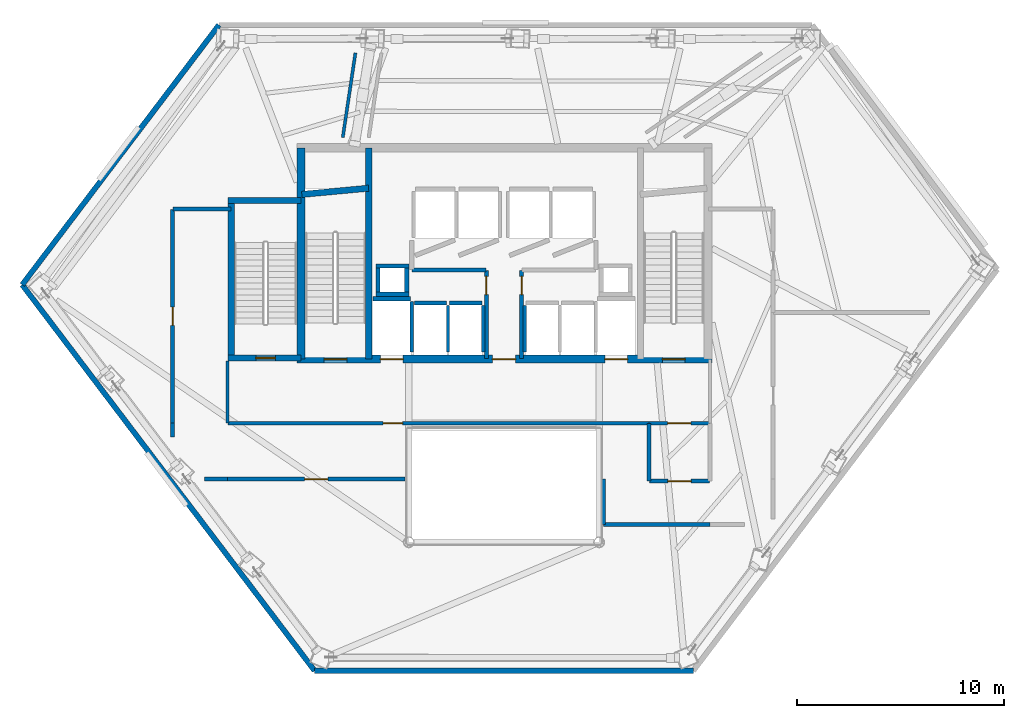
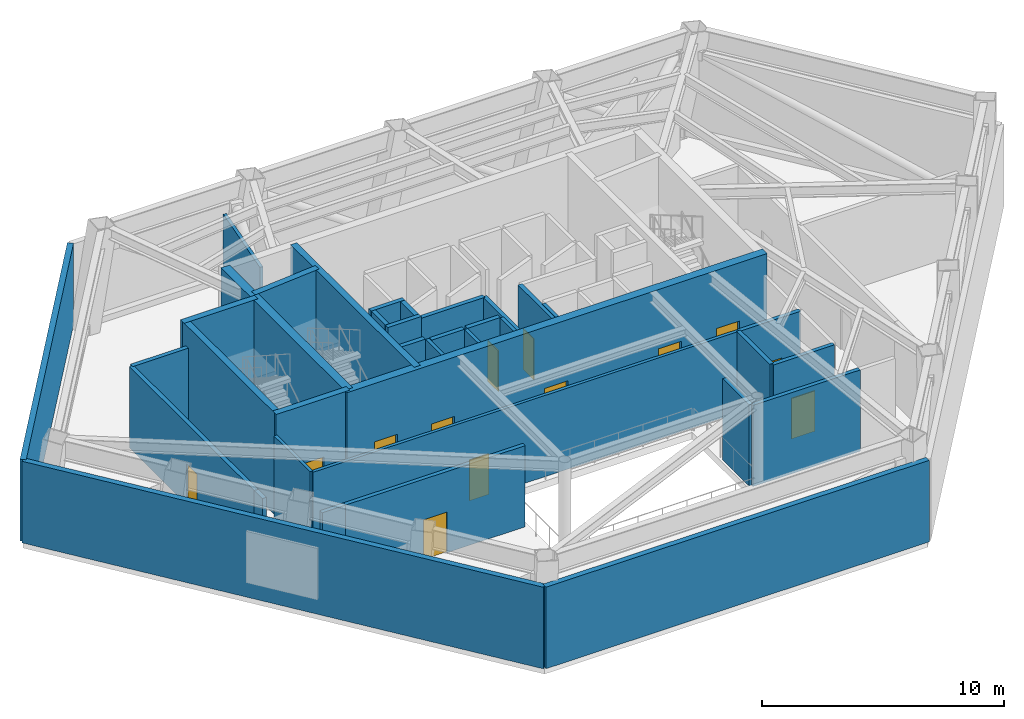
# One storey, part 5 of 9: 37 walls, 13 doors, 13 openings.
"""IFC4 building model written with IfcOpenShell, lengths in metres."""

from ifc_helpers import new_model, si_unit, direction, frame, frame_2d, origin, place, context, subcontext, project, spatial, rectangle, extrude, material, layer, layer_set, type_object, element, fill, save


model = new_model("IFC4")

# Units and contexts
model_context = context("Model", 3, precision=1e-05, world=origin(), true_north=direction((0.0, 1.0)))
body_context = subcontext(model_context, "Body", "Model", "MODEL_VIEW")
ifc_project = project(units=[si_unit("LENGTHUNIT", "METRE"), si_unit("AREAUNIT", "SQUARE_METRE"), si_unit("VOLUMEUNIT", "CUBIC_METRE"), si_unit("PLANEANGLEUNIT", "RADIAN"), si_unit("MASSUNIT", "GRAM", prefix="KILO")], contexts=[model_context])

# Site, building, storey
site_placement = place(None, origin())
site = spatial("IfcSite", under=ifc_project, at=site_placement, CompositionType="ELEMENT")
building_placement = place(site_placement, origin())
building = spatial("IfcBuilding", under=site, at=building_placement, Name="Zarrinselat Tower", CompositionType="ELEMENT")
storey_placement = place(building_placement, frame((0.0, 0.0, 109.139892578125)))
storey = spatial("IfcBuildingStorey", under=building, at=storey_placement, Name="L26", CompositionType="ELEMENT", Elevation=109.139892578125)

# Walls
ifc_material_1 = material(Name="Honed Cream Travertine Stone", Category="masonry")
ifc_layer_1 = layer(ifc_material_1, 0.260009765625)
ifc_layer_set_1 = layer_set([ifc_layer_1], Name="Honed Cream Travertine Stone")
wall_type_1 = type_object("IfcWallType", Name="WAL-EXT-STONE-260", PredefinedType="STANDARD", material=ifc_layer_set_1)
wall_1_placement = place(storey_placement, frame((15.13134765625, 36.837890625, 0.0), z_axis=(0.0, 0.0, 1.0), x_axis=(0.60385977856, 0.797090564389, 0.0)))
element("IfcWall", 1, at=wall_1_placement, inside=storey, type_object=wall_type_1, Name="L26 Mechanical Plant Travertine Perimeter Wall 2", PredefinedType="STANDARD", context=body_context, shape_type="SweptSolid", body=[
    extrude(rectangle(XDim=15.739013671875, YDim=0.260009765625, at=frame_2d((7.86962890625, 0.0))), origin(), (0.0, 0.0, 1.0), 4.1171875),
])
wall_2_placement = place(storey_placement, frame((15.13134765625, 36.837890625, 0.0), z_axis=(0.0, 0.0, 1.0), x_axis=(0.603857286094, -0.797092452624, 0.0)))
element("IfcWall", 2, at=wall_2_placement, inside=storey, type_object=wall_type_1, Name="L26 Mechanical Plant Travertine Perimeter Wall 3", PredefinedType="STANDARD", context=body_context, shape_type="SweptSolid", body=[
    extrude(rectangle(XDim=23.391357421875, YDim=0.260009765625, at=frame_2d((11.69580078125, 0.0))), origin(), (0.0, 0.0, 1.0), 4.1171875),
])
wall_3_placement = place(storey_placement, frame((29.25634765625, 18.19287109375, 0.0), z_axis=(0.0, 0.0, 1.0), x_axis=(1.0, 0.0, 0.0)))
element("IfcWall", 3, at=wall_3_placement, inside=storey, type_object=wall_type_1, Name="L26 Mechanical Plant Travertine Perimeter Wall 4", PredefinedType="STANDARD", context=body_context, shape_type="SweptSolid", body=[
    extrude(rectangle(XDim=18.287353515625, YDim=0.260009765625, at=frame_2d((9.1435546875, 0.0))), origin(), (0.0, 0.0, 1.0), 4.1171875),
])

# Wall, opening, door
ifc_material_2 = material(Name="Concrete C40/50", Category="concrete")
ifc_layer_2 = layer(ifc_material_2, 0.18994140625)
ifc_layer_set_2 = layer_set([ifc_layer_2], Name="Concrete C40/50")
wall_type_2 = type_object("IfcWallType", Name="WAL-PART-EI120", PredefinedType="PARTITIONING", material=ifc_layer_set_2)
wall_4_placement = place(storey_placement, frame((45.405029296875, 30.14990234375, 0.0), z_axis=(0.0, 0.0, 1.0), x_axis=(1.0, 0.0, 0.0)))
wall_4 = element("IfcWall", 4, at=wall_4_placement, inside=storey, type_object=wall_type_2, Name="L26 Partition Wall 7", PredefinedType="PARTITIONING", context=body_context, shape_type="SweptSolid", body=[
    extrude(rectangle(XDim=2.925048828125, YDim=0.18994140625, at=frame_2d((1.46240234375, 0.0))), origin(), (0.0, 0.0, 1.0), 4.09716796875),
])
opening_1_placement = place(wall_4_placement, frame((0.902587890625, 0.0, 0.0)))
opening_1 = element("IfcOpeningElement", 5, at=opening_1_placement, cuts=wall_4, Name="Opening ID-02", PredefinedType="OPENING", context=body_context, shape_type="SweptSolid", body=[
    extrude(rectangle(XDim=1.1201171875, YDim=2.050048828125, at=frame_2d((0.56005859375, 1.02490234375))), frame((0.0, 0.10498046875, 0.0), z_axis=(0.0, -1.0, 0.0), x_axis=(1.0, 0.0, 0.0)), (0.0, 0.0, 1.0), 0.2099609375),
])
ifc_material_3 = material(Name="Steel S355J2", Category="steel")
door_type_1 = type_object("IfcDoorType", Name="DR-INT-FD60-W", OperationType="NOTDEFINED", PredefinedType="DOOR", material=ifc_material_3)
door_1_placement = place(opening_1_placement, origin())
door_1 = element("IfcDoor", 6, at=door_1_placement, inside=storey, type_object=door_type_1, Name="L26 Interior Door P7", OperationType="SINGLE_SWING_LEFT", OverallHeight=2.050048828125, OverallWidth=1.1201171875, PredefinedType="DOOR", context=body_context, shape_type="SweptSolid", body=[
    extrude(rectangle(XDim=1.1201171875, YDim=2.050048828125, at=frame_2d((0.56005859375, 1.02490234375))), frame((0.0, 0.02490234375, 0.0), z_axis=(0.0, -1.0, 0.0), x_axis=(1.0, 0.0, 0.0)), (0.0, 0.0, 1.0), 0.050048828125),
])
fill(opening_1, door_1)

wall_5_placement = place(storey_placement, frame((45.419921875, 27.35009765625, 0.0), z_axis=(0.0, 0.0, 1.0), x_axis=(1.0, 0.0, 0.0)))
wall_5 = element("IfcWall", 7, at=wall_5_placement, inside=storey, type_object=wall_type_2, Name="L26 Partition Wall 11", PredefinedType="PARTITIONING", context=body_context, shape_type="SweptSolid", body=[
    extrude(rectangle(XDim=2.91015625, YDim=0.18994140625, at=frame_2d((1.455078125, 0.0))), origin(), (0.0, 0.0, 1.0), 4.09716796875),
])
opening_2_placement = place(wall_5_placement, frame((0.89501953125, 0.0, 0.0)))
opening_2 = element("IfcOpeningElement", 8, at=opening_2_placement, cuts=wall_5, Name="Opening ID-02", PredefinedType="OPENING", context=body_context, shape_type="SweptSolid", body=[
    extrude(rectangle(XDim=1.1201171875, YDim=2.050048828125, at=frame_2d((0.56005859375, 1.02490234375))), frame((0.0, 0.10498046875, 0.0), z_axis=(0.0, -1.0, 0.0), x_axis=(1.0, 0.0, 0.0)), (0.0, 0.0, 1.0), 0.2099609375),
])
door_2_placement = place(opening_2_placement, origin())
door_2 = element("IfcDoor", 9, at=door_2_placement, inside=storey, type_object=door_type_1, Name="L26 Interior Door P11", OperationType="SINGLE_SWING_LEFT", OverallHeight=2.050048828125, OverallWidth=1.1201171875, PredefinedType="DOOR", context=body_context, shape_type="SweptSolid", body=[
    extrude(rectangle(XDim=1.1201171875, YDim=2.050048828125, at=frame_2d((0.56005859375, 1.02490234375))), frame((0.0, 0.02490234375, 0.0), z_axis=(0.0, -1.0, 0.0), x_axis=(1.0, 0.0, 0.0)), (0.0, 0.0, 1.0), 0.050048828125),
])
fill(opening_2, door_2)

# Walls
wall_6_placement = place(storey_placement, frame((45.39990234375, 27.3701171875, 0.0), z_axis=(0.0, 0.0, 1.0), x_axis=(0.0, 1.0, 0.0)))
element("IfcWall", 10, at=wall_6_placement, inside=storey, type_object=wall_type_2, Name="L26 Partition Wall 12", PredefinedType="PARTITIONING", context=body_context, shape_type="SweptSolid", body=[
    extrude(rectangle(XDim=2.759765625, YDim=0.18994140625, at=frame_2d((1.3798828125, 0.0))), origin(), (0.0, 0.0, 1.0), 4.09716796875),
])
wall_7_placement = place(storey_placement, frame((43.219970703125, 25.25, 0.0), z_axis=(0.0, 0.0, 1.0), x_axis=(1.0, 0.0, 0.0)))
element("IfcWall", 11, at=wall_7_placement, inside=storey, type_object=wall_type_2, Name="L26 Partition Wall 15", PredefinedType="PARTITIONING", context=body_context, shape_type="SweptSolid", body=[
    extrude(rectangle(XDim=5.130126953125, YDim=0.18994140625, at=frame_2d((2.56494140625, 0.0))), origin(), (0.0, 0.0, 1.0), 4.09716796875),
])
wall_8_placement = place(storey_placement, frame((43.199951171875, 25.27001953125, 0.0), z_axis=(0.0, 0.0, 1.0), x_axis=(0.0, 1.0, 0.0)))
element("IfcWall", 12, at=wall_8_placement, inside=storey, type_object=wall_type_2, Name="L26 Partition Wall 16", PredefinedType="PARTITIONING", context=body_context, shape_type="SweptSolid", body=[
    extrude(rectangle(XDim=2.179931640625, YDim=0.18994140625, at=frame_2d((1.08984375, 0.0))), origin(), (0.0, 0.0, 1.0), 4.09716796875),
])

# Wall, opening, door
wall_9_placement = place(storey_placement, frame((25.050048828125, 27.449951171875, 0.0), z_axis=(0.0, 0.0, 1.0), x_axis=(1.0, 0.0, 0.0)))
wall_9 = element("IfcWall", 13, at=wall_9_placement, inside=storey, type_object=wall_type_2, Name="L26 Partition Wall 17", PredefinedType="PARTITIONING", context=body_context, shape_type="SweptSolid", body=[
    extrude(rectangle(XDim=8.570068359375, YDim=0.18994140625, at=frame_2d((4.28515625, 0.0))), origin(), (0.0, 0.0, 1.0), 4.09716796875),
])
opening_3_placement = place(wall_9_placement, frame((3.72509765625, 0.0, 0.0)))
opening_3 = element("IfcOpeningElement", 14, at=opening_3_placement, cuts=wall_9, Name="Opening ID-02", PredefinedType="OPENING", context=body_context, shape_type="SweptSolid", body=[
    extrude(rectangle(XDim=1.1201171875, YDim=2.050048828125, at=frame_2d((0.56005859375, 1.02490234375))), frame((0.0, 0.10498046875, 0.0), z_axis=(0.0, -1.0, 0.0), x_axis=(1.0, 0.0, 0.0)), (0.0, 0.0, 1.0), 0.2099609375),
])
door_3_placement = place(opening_3_placement, origin())
door_3 = element("IfcDoor", 15, at=door_3_placement, inside=storey, type_object=door_type_1, Name="L26 Interior Door P17", OperationType="SINGLE_SWING_RIGHT", OverallHeight=2.050048828125, OverallWidth=1.1201171875, PredefinedType="DOOR", context=body_context, shape_type="SweptSolid", body=[
    extrude(rectangle(XDim=1.1201171875, YDim=2.050048828125, at=frame_2d((0.56005859375, 1.02490234375))), frame((0.0, 0.02490234375, 0.0), z_axis=(0.0, -1.0, 0.0), x_axis=(1.0, 0.0, 0.0)), (0.0, 0.0, 1.0), 0.050048828125),
])
fill(opening_3, door_3)

# Wall
wall_10_placement = place(storey_placement, frame((23.93701171875, 27.449951171875, 0.0), z_axis=(0.0, 0.0, 1.0), x_axis=(1.0, 0.0, 0.0)))
element("IfcWall", 16, at=wall_10_placement, inside=storey, type_object=wall_type_2, Name="L26 Partition Wall 18", PredefinedType="PARTITIONING", context=body_context, shape_type="SweptSolid", body=[
    extrude(rectangle(XDim=1.113037109375, YDim=0.18994140625, at=frame_2d((0.556640625, 0.0))), origin(), (0.0, 0.0, 1.0), 4.09716796875),
])

# Wall, opening, door
ifc_material_4 = material(Name="Fire-Rated Gypsum Board Partition", Category="gypsum")
ifc_layer_3 = layer(ifc_material_4, 0.14990234375)
ifc_layer_set_3 = layer_set([ifc_layer_3], Name="Fire-Rated Gypsum Board Partition")
wall_type_3 = type_object("IfcWallType", Name="WAL-PART-EI60", PredefinedType="PARTITIONING", material=ifc_layer_set_3)
wall_11_placement = place(storey_placement, frame((25.070068359375, 30.14990234375, 0.0), z_axis=(0.0, 0.0, 1.0), x_axis=(1.0, 0.0, 0.0)))
wall_11 = element("IfcWall", 17, at=wall_11_placement, inside=storey, type_object=wall_type_3, Name="L26 Partition Wall 9", PredefinedType="PARTITIONING", context=body_context, shape_type="SweptSolid", body=[
    extrude(rectangle(XDim=20.324951171875, YDim=0.14990234375, at=frame_2d((10.16259765625, 0.0))), origin(), (0.0, 0.0, 1.0), 4.09716796875),
])
opening_4_placement = place(wall_11_placement, frame((7.492431640625, 0.0, 0.0)))
opening_4 = element("IfcOpeningElement", 18, at=opening_4_placement, cuts=wall_11, Name="Opening ID-04", PredefinedType="OPENING", context=body_context, shape_type="SweptSolid", body=[
    extrude(rectangle(XDim=0.93994140625, YDim=2.050048828125, at=frame_2d((0.469970703125, 1.02490234375))), frame((0.0, 0.0849609375, 0.0), z_axis=(0.0, -1.0, 0.0), x_axis=(1.0, 0.0, 0.0)), (0.0, 0.0, 1.0), 0.169921875),
])
ifc_material_5 = material(Name="Fire-Rated Gypsum Board Partition")
door_type_2 = type_object("IfcDoorType", Name="DR-INT-FD30-ENT", OperationType="NOTDEFINED", PredefinedType="DOOR", material=ifc_material_5)
door_4_placement = place(opening_4_placement, origin())
door_4 = element("IfcDoor", 19, at=door_4_placement, inside=storey, type_object=door_type_2, Name="L26 Interior Door P9", OperationType="SINGLE_SWING_RIGHT", OverallHeight=2.050048828125, OverallWidth=0.93994140625, PredefinedType="DOOR", context=body_context, shape_type="SweptSolid", body=[
    extrude(rectangle(XDim=0.93994140625, YDim=2.050048828125, at=frame_2d((0.469970703125, 1.02490234375))), frame((0.0, 0.02490234375, 0.0), z_axis=(0.0, -1.0, 0.0), x_axis=(1.0, 0.0, 0.0)), (0.0, 0.0, 1.0), 0.050048828125),
])
fill(opening_4, door_4)

# Wall
wall_12_placement = place(storey_placement, frame((25.050048828125, 30.169921875, 0.0), z_axis=(0.0, 0.0, 1.0), x_axis=(0.0, 1.0, 0.0)))
element("IfcWall", 20, at=wall_12_placement, inside=storey, type_object=wall_type_3, Name="L26 Partition Wall 10", PredefinedType="PARTITIONING", context=body_context, shape_type="SweptSolid", body=[
    extrude(rectangle(XDim=2.97998046875, YDim=0.14990234375, at=frame_2d((1.489990234375, 0.0))), origin(), (0.0, 0.0, 1.0), 4.09716796875),
])

# Wall, opening, door
ifc_material_6 = material(Name="Concrete C40/50", Category="concrete")
ifc_layer_4 = layer(ifc_material_6, 0.199951171875)
ifc_layer_set_4 = layer_set([ifc_layer_4], Name="Concrete C40/50")
wall_type_4 = type_object("IfcWallType", Name="WAL-PART-PLANT", PredefinedType="PARTITIONING", material=ifc_layer_set_4)
wall_13_placement = place(storey_placement, frame((37.550048828125, 33.264892578125, 0.0), z_axis=(0.0, 0.0, 1.0), x_axis=(0.0, 1.0, 0.0)))
wall_13 = element("IfcWall", 21, at=wall_13_placement, inside=storey, type_object=wall_type_4, Name="L26 Partition Wall 1", PredefinedType="PARTITIONING", context=body_context, shape_type="SweptSolid", body=[
    extrude(rectangle(XDim=4.26513671875, YDim=0.199951171875, at=frame_2d((2.132568359375, 0.0))), origin(), (0.0, 0.0, 1.0), 4.09716796875),
])
opening_5_placement = place(wall_13_placement, frame((3.092529296875, 0.0, 0.0)))
opening_5 = element("IfcOpeningElement", 22, at=opening_5_placement, cuts=wall_13, Name="Opening ID-03", PredefinedType="OPENING", context=body_context, shape_type="SweptSolid", body=[
    extrude(rectangle(XDim=0.8798828125, YDim=2.050048828125, at=frame_2d((0.43994140625, 1.02490234375))), frame((0.0, 0.10986328125, 0.0), z_axis=(0.0, -1.0, 0.0), x_axis=(1.0, 0.0, 0.0)), (0.0, 0.0, 1.0), 0.219970703125),
])
ifc_material_7 = material(Name="Steel S355J2", Category="steel")
door_type_3 = type_object("IfcDoorType", Name="DR-INT-FD60-S", OperationType="NOTDEFINED", PredefinedType="DOOR", material=ifc_material_7)
door_5_placement = place(opening_5_placement, origin())
door_5 = element("IfcDoor", 23, at=door_5_placement, inside=storey, type_object=door_type_3, Name="L26 Interior Door P1", OperationType="SINGLE_SWING_LEFT", OverallHeight=2.050048828125, OverallWidth=0.8798828125, PredefinedType="DOOR", context=body_context, shape_type="SweptSolid", body=[
    extrude(rectangle(XDim=0.8798828125, YDim=2.050048828125, at=frame_2d((0.43994140625, 1.02490234375))), frame((0.0, 0.02490234375, 0.0), z_axis=(0.0, -1.0, 0.0), x_axis=(1.0, 0.0, 0.0)), (0.0, 0.0, 1.0), 0.050048828125),
])
fill(opening_5, door_5)

# Wall
wall_14_placement = place(storey_placement, frame((33.969970703125, 37.550048828125, 0.0), z_axis=(0.0, 0.0, 1.0), x_axis=(1.0, 0.0, 0.0)))
element("IfcWall", 24, at=wall_14_placement, inside=storey, type_object=wall_type_4, Name="L26 Partition Wall 2", PredefinedType="PARTITIONING", context=body_context, shape_type="SweptSolid", body=[
    extrude(rectangle(XDim=3.56005859375, YDim=0.199951171875, at=frame_2d((1.780029296875, 0.0))), origin(), (0.0, 0.0, 1.0), 4.09716796875),
])

# Wall, opening, door
wall_15_placement = place(storey_placement, frame((39.25, 33.264892578125, 0.0), z_axis=(0.0, 0.0, 1.0), x_axis=(0.0, 1.0, 0.0)))
wall_15 = element("IfcWall", 25, at=wall_15_placement, inside=storey, type_object=wall_type_4, Name="L26 Partition Wall 6", PredefinedType="PARTITIONING", context=body_context, shape_type="SweptSolid", body=[
    extrude(rectangle(XDim=4.26513671875, YDim=0.199951171875, at=frame_2d((2.132568359375, 0.0))), origin(), (0.0, 0.0, 1.0), 4.09716796875),
])
opening_6_placement = place(wall_15_placement, frame((3.092529296875, 0.0, 0.0)))
opening_6 = element("IfcOpeningElement", 26, at=opening_6_placement, cuts=wall_15, Name="Opening ID-03", PredefinedType="OPENING", context=body_context, shape_type="SweptSolid", body=[
    extrude(rectangle(XDim=0.8798828125, YDim=2.050048828125, at=frame_2d((0.43994140625, 1.02490234375))), frame((0.0, 0.10986328125, 0.0), z_axis=(0.0, -1.0, 0.0), x_axis=(1.0, 0.0, 0.0)), (0.0, 0.0, 1.0), 0.219970703125),
])
door_6_placement = place(opening_6_placement, origin())
door_6 = element("IfcDoor", 27, at=door_6_placement, inside=storey, type_object=door_type_3, Name="L26 Interior Door P6", OperationType="SINGLE_SWING_RIGHT", OverallHeight=2.050048828125, OverallWidth=0.8798828125, PredefinedType="DOOR", context=body_context, shape_type="SweptSolid", body=[
    extrude(rectangle(XDim=0.8798828125, YDim=2.050048828125, at=frame_2d((0.43994140625, 1.02490234375))), frame((0.0, 0.02490234375, 0.0), z_axis=(0.0, -1.0, 0.0), x_axis=(1.0, 0.0, 0.0)), (0.0, 0.0, 1.0), 0.050048828125),
])
fill(opening_6, door_6)

wall_16_placement = place(storey_placement, frame((22.39990234375, 30.14990234375, 0.0), z_axis=(0.0, 0.0, 1.0), x_axis=(0.0, 1.0, 0.0)))
wall_16 = element("IfcWall", 28, at=wall_16_placement, inside=storey, type_object=wall_type_4, Name="L26 Partition Wall 19", PredefinedType="PARTITIONING", context=body_context, shape_type="SweptSolid", body=[
    extrude(rectangle(XDim=10.330078125, YDim=0.199951171875, at=frame_2d((5.1650390625, 0.0))), origin(), (0.0, 0.0, 1.0), 4.09716796875),
])
opening_7_placement = place(wall_16_placement, frame((4.72509765625, 0.0, 0.0)))
opening_7 = element("IfcOpeningElement", 29, at=opening_7_placement, cuts=wall_16, Name="Opening ID-03", PredefinedType="OPENING", context=body_context, shape_type="SweptSolid", body=[
    extrude(rectangle(XDim=0.8798828125, YDim=2.050048828125, at=frame_2d((0.43994140625, 1.02490234375))), frame((0.0, 0.10986328125, 0.0), z_axis=(0.0, -1.0, 0.0), x_axis=(1.0, 0.0, 0.0)), (0.0, 0.0, 1.0), 0.219970703125),
])
door_7_placement = place(opening_7_placement, origin())
door_7 = element("IfcDoor", 30, at=door_7_placement, inside=storey, type_object=door_type_3, Name="L26 Interior Door P19", OperationType="SINGLE_SWING_LEFT", OverallHeight=2.050048828125, OverallWidth=0.8798828125, PredefinedType="DOOR", context=body_context, shape_type="SweptSolid", body=[
    extrude(rectangle(XDim=0.8798828125, YDim=2.050048828125, at=frame_2d((0.43994140625, 1.02490234375))), frame((0.0, 0.02490234375, 0.0), z_axis=(0.0, -1.0, 0.0), x_axis=(1.0, 0.0, 0.0)), (0.0, 0.0, 1.0), 0.050048828125),
])
fill(opening_7, door_7)

# Walls
wall_17_placement = place(storey_placement, frame((22.419921875, 40.5, 0.0), z_axis=(0.0, 0.0, 1.0), x_axis=(1.0, 0.0, 0.0)))
element("IfcWall", 31, at=wall_17_placement, inside=storey, type_object=wall_type_4, Name="L26 Partition Wall 20", PredefinedType="PARTITIONING", context=body_context, shape_type="SweptSolid", body=[
    extrude(rectangle(XDim=2.795166015625, YDim=0.199951171875, at=frame_2d((1.3974609375, 0.0))), origin(), (0.0, 0.0, 1.0), 4.09716796875),
])
wall_18_placement = place(storey_placement, frame((22.39990234375, 29.47900390625, 0.0), z_axis=(0.0, 0.0, 1.0), x_axis=(0.0, 1.0, 0.0)))
element("IfcWall", 32, at=wall_18_placement, inside=storey, type_object=wall_type_4, Name="L26 Partition Wall 21", PredefinedType="PARTITIONING", context=body_context, shape_type="SweptSolid", body=[
    extrude(rectangle(XDim=0.6708984375, YDim=0.199951171875, at=frame_2d((0.33544921875, 0.0))), origin(), (0.0, 0.0, 1.0), 4.09716796875),
])
ifc_material_8 = material(Name="Fire-Rated Gypsum Board Partition", Category="gypsum")
ifc_layer_5 = layer(ifc_material_8, 0.1201171875)
ifc_layer_set_5 = layer_set([ifc_layer_5], Name="Fire-Rated Gypsum Board Partition")
wall_type_5 = type_object("IfcWallType", Name="WAL-PART-STD", PredefinedType="PARTITIONING", material=ifc_layer_set_5)
wall_19_placement = place(storey_placement, frame((30.6162109375, 43.949951171875, 0.0), z_axis=(0.0, 0.0, 1.0), x_axis=(0.148123586873, 0.988968858464, 0.0)))
element("IfcWall", 33, at=wall_19_placement, inside=storey, type_object=wall_type_5, Name="L26 Outrigger Truss Zone 16 Fire Partition 2", PredefinedType="PARTITIONING", context=body_context, shape_type="SweptSolid", body=[
    extrude(rectangle(XDim=4.12890625, YDim=0.14990234375, at=frame_2d((2.064453125, 0.0))), origin(), (0.0, 0.0, 1.0), 4.09716796875),
])
ifc_material_9 = material(Name="Concrete C40/50", Category="concrete")
ifc_layer_6 = layer(ifc_material_9, 0.2099609375)
ifc_layer_set_6 = layer_set([ifc_layer_6], Name="Concrete C40/50")
wall_type_6 = type_object("IfcWallType", Name="WAL-SHAFT-210", PredefinedType="SOLIDWALL", material=ifc_layer_set_6)
wall_20_placement = place(storey_placement, frame((32.080078125, 36.155029296875, 0.0), z_axis=(0.0, 0.0, 1.0), x_axis=(1.0, 0.0, 0.0)))
element("IfcWall", 34, at=wall_20_placement, inside=storey, type_object=wall_type_6, Name="L26 Lift FFL1 North Shaft Wall", PredefinedType="SOLIDWALL", context=body_context, shape_type="SweptSolid", body=[
    extrude(rectangle(XDim=1.7998046875, YDim=0.2099609375, at=frame_2d((0.89990234375, 0.0))), origin(), (0.0, 0.0, 1.0), 4.112060546875),
])
wall_21_placement = place(storey_placement, frame((33.949951171875, 33.580078125, 0.0), z_axis=(0.0, 0.0, 1.0), x_axis=(0.0, 1.0, 0.0)))
element("IfcWall", 35, at=wall_21_placement, inside=storey, type_object=wall_type_6, Name="L26 Lift FFL1 E Shaft Wall", PredefinedType="SOLIDWALL", context=body_context, shape_type="SweptSolid", body=[
    extrude(rectangle(XDim=2.449951171875, YDim=0.159912109375, at=frame_2d((1.22509765625, 0.0))), origin(), (0.0, 0.0, 1.0), 4.112060546875),
])
wall_22_placement = place(storey_placement, frame((34.070068359375, 35.955078125, 0.0), z_axis=(0.0, 0.0, 1.0), x_axis=(1.0, 0.0, 0.0)))
element("IfcWall", 36, at=wall_22_placement, inside=storey, type_object=wall_type_6, Name="L26 Lift PL5 North Shaft Wall", PredefinedType="SOLIDWALL", context=body_context, shape_type="SweptSolid", body=[
    extrude(rectangle(XDim=1.559814453125, YDim=0.2099609375, at=frame_2d((0.77978515625, 0.0))), origin(), (0.0, 0.0, 1.0), 4.112060546875),
])
wall_23_placement = place(storey_placement, frame((35.699951171875, 33.580078125, 0.0), z_axis=(0.0, 0.0, 1.0), x_axis=(0.0, 1.0, 0.0)))
element("IfcWall", 37, at=wall_23_placement, inside=storey, type_object=wall_type_6, Name="L26 Lift PL5 E Shaft Wall", PredefinedType="SOLIDWALL", context=body_context, shape_type="SweptSolid", body=[
    extrude(rectangle(XDim=2.25, YDim=0.159912109375, at=frame_2d((1.125, 0.0))), origin(), (0.0, 0.0, 1.0), 4.112060546875),
])
wall_24_placement = place(storey_placement, frame((35.77001953125, 35.955078125, 0.0), z_axis=(0.0, 0.0, 1.0), x_axis=(1.0, 0.0, 0.0)))
element("IfcWall", 38, at=wall_24_placement, inside=storey, type_object=wall_type_6, Name="L26 Lift PL6 North Shaft Wall", PredefinedType="SOLIDWALL", context=body_context, shape_type="SweptSolid", body=[
    extrude(rectangle(XDim=1.56005859375, YDim=0.2099609375, at=frame_2d((0.780029296875, 0.0))), origin(), (0.0, 0.0, 1.0), 4.112060546875),
])
for number, where, z_axis, x_axis, name in (
    (39, (37.39990234375, 33.580078125, 0.0), (0.0, 0.0, 1.0), (0.0, 1.0, 0.0), "L26 Lift PL6 E Shaft Wall"),
    (40, (39.39990234375, 33.580078125, 0.0), (0.0, 0.0, 1.0), (0.0, 1.0, 0.0), "L26 Lift PL8 W Shaft Wall"),
):
    element("IfcWall", number, at=place(storey_placement, frame(where, z_axis=z_axis, x_axis=x_axis)), inside=storey, type_object=wall_type_6, Name=name, PredefinedType="SOLIDWALL", context=body_context, shape_type="SweptSolid", body=[
        extrude(rectangle(XDim=2.25, YDim=0.159912109375, at=frame_2d((1.125, 0.0))), origin(), (0.0, 0.0, 1.0), 4.112060546875),
    ])
for number, where, z_axis, x_axis, name in (
    (41, (32.2099609375, 36.375, 0.0), (0.0, 0.0, 1.0), (1.0, 0.0, 0.0), "L26 Core Riser RSR-W S Shaft Wall"),
    (42, (32.2099609375, 37.7451171875, 0.0), (0.0, 0.0, 1.0), (1.0, 0.0, 0.0), "L26 Core Riser RSR-W N Shaft Wall"),
):
    element("IfcWall", number, at=place(storey_placement, frame(where, z_axis=z_axis, x_axis=x_axis)), inside=storey, type_object=wall_type_6, Name=name, PredefinedType="SOLIDWALL", context=body_context, shape_type="SweptSolid", body=[
        extrude(rectangle(XDim=1.60009765625, YDim=0.2099609375, at=frame_2d((0.800048828125, 0.0))), origin(), (0.0, 0.0, 1.0), 5.14013671875),
    ])
for number, where, z_axis, x_axis, name in (
    (43, (32.31494140625, 36.485107421875, 0.0), (0.0, 0.0, 1.0), (0.0, 1.0, 0.0), "L26 Core Riser RSR-W W Shaft Wall"),
    (44, (33.705078125, 36.485107421875, 0.0), (0.0, 0.0, 1.0), (0.0, 1.0, 0.0), "L26 Core Riser RSR-W E Shaft Wall"),
):
    element("IfcWall", number, at=place(storey_placement, frame(where, z_axis=z_axis, x_axis=x_axis)), inside=storey, type_object=wall_type_6, Name=name, PredefinedType="SOLIDWALL", context=body_context, shape_type="SweptSolid", body=[
        extrude(rectangle(XDim=1.14990234375, YDim=0.2099609375, at=frame_2d((0.574951171875, 0.0))), origin(), (0.0, 0.0, 1.0), 5.14013671875),
    ])
ifc_material_10 = material(Name="Concrete C40/50", Category="concrete")
ifc_layer_7 = layer(ifc_material_10, 0.300048828125)
ifc_layer_set_7 = layer_set([ifc_layer_7], Name="Concrete C40/50")
wall_type_7 = type_object("IfcWallType", Name="WAL-SHEAR-300", PredefinedType="SHEAR", material=ifc_layer_set_7)
wall_25_placement = place(storey_placement, frame((31.8701171875, 33.25, 0.0), z_axis=(0.0, 0.0, 1.0), x_axis=(0.0, 1.0, 0.0)))
element("IfcWall", 45, at=wall_25_placement, inside=storey, type_object=wall_type_7, Name="L26 Core Shear Wall ST1E", PredefinedType="SHEAR", context=body_context, shape_type="SweptSolid", body=[
    extrude(rectangle(XDim=10.199951171875, YDim=0.300048828125, at=frame_2d((5.10009765625, 0.0))), origin(), (0.0, 0.0, 1.0), 5.14013671875),
])
wall_26_placement = place(storey_placement, frame((28.639892578125, 41.199951171875, 0.0), z_axis=(0.0, 0.0, 1.0), x_axis=(0.995687118776, 0.092774789157, 0.0)))
element("IfcWall", 46, at=wall_26_placement, inside=storey, type_object=wall_type_7, Name="L26 Stair 1 North Shaft Wall", PredefinedType="SHEAR", context=body_context, shape_type="SweptSolid", body=[
    extrude(rectangle(XDim=3.234130859375, YDim=0.300048828125, at=frame_2d((1.6171875, 0.0))), origin(), (0.0, 0.0, 1.0), 5.14013671875),
])
wall_27_placement = place(storey_placement, frame((25.080078125, 40.89990234375, 0.0), z_axis=(0.0, 0.0, 1.0), x_axis=(1.0, 0.0, 0.0)))
element("IfcWall", 47, at=wall_27_placement, inside=storey, type_object=wall_type_7, Name="L26 Stair 3 North Shear Wall", PredefinedType="SHEAR", context=body_context, shape_type="SweptSolid", body=[
    extrude(rectangle(XDim=3.52001953125, YDim=0.300048828125, at=frame_2d((1.760009765625, 0.0))), origin(), (0.0, 0.0, 1.0), 5.14013671875),
])

# Wall, opening, door
wall_28_placement = place(storey_placement, frame((25.080078125, 33.300048828125, 0.0), z_axis=(0.0, 0.0, 1.0), x_axis=(1.0, 0.0, 0.0)))
wall_28 = element("IfcWall", 48, at=wall_28_placement, inside=storey, type_object=wall_type_7, Name="L26 Stair 3 South Shear Wall", PredefinedType="SHEAR", context=body_context, shape_type="SweptSolid", body=[
    extrude(rectangle(XDim=3.52001953125, YDim=0.300048828125, at=frame_2d((1.760009765625, 0.0))), origin(), (0.0, 0.0, 1.0), 5.14013671875),
])
opening_8_placement = place(wall_28_placement, frame((1.3349609375, 0.0, 0.0)))
opening_8 = element("IfcOpeningElement", 49, at=opening_8_placement, cuts=wall_28, Name="Opening SD-02", PredefinedType="OPENING", context=body_context, shape_type="SweptSolid", body=[
    extrude(rectangle(XDim=0.949951171875, YDim=2.199951171875, at=frame_2d((0.47509765625, 1.10009765625))), frame((0.0, 0.159912109375, 0.0), z_axis=(0.0, -1.0, 0.0), x_axis=(1.0, 0.0, 0.0)), (0.0, 0.0, 1.0), 0.320068359375),
])
ifc_material_11 = material(Name="Steel S355J2", Category="steel")
door_type_4 = type_object("IfcDoorType", Name="DR-STAIR-1050", OperationType="NOTDEFINED", PredefinedType="DOOR", material=ifc_material_11)
door_8_placement = place(opening_8_placement, origin())
door_8 = element("IfcDoor", 50, at=door_8_placement, inside=storey, type_object=door_type_4, Name="L26 Exit Stair 3 Fire Door", OperationType="SINGLE_SWING_LEFT", OverallHeight=2.199951171875, OverallWidth=0.949951171875, PredefinedType="DOOR", context=body_context, shape_type="SweptSolid", body=[
    extrude(rectangle(XDim=0.949951171875, YDim=2.199951171875, at=frame_2d((0.47509765625, 1.10009765625))), frame((0.0, 0.02490234375, 0.0), z_axis=(0.0, -1.0, 0.0), x_axis=(1.0, 0.0, 0.0)), (0.0, 0.0, 1.0), 0.050048828125),
])
fill(opening_8, door_8)

# Wall
wall_29_placement = place(storey_placement, frame((25.22998046875, 33.300048828125, 0.0), z_axis=(0.0, 0.0, 1.0), x_axis=(0.0, 1.0, 0.0)))
element("IfcWall", 51, at=wall_29_placement, inside=storey, type_object=wall_type_7, Name="L26 Stair 3 West Shear Wall", PredefinedType="SHEAR", context=body_context, shape_type="SweptSolid", body=[
    extrude(rectangle(XDim=7.599853515625, YDim=0.300048828125, at=frame_2d((3.7998046875, 0.0))), origin(), (0.0, 0.0, 1.0), 5.14013671875),
])

# Wall, openings, doors
ifc_material_12 = material(Name="Concrete C60/75", Category="concrete")
ifc_layer_8 = layer(ifc_material_12, 0.39990234375)
ifc_layer_set_8 = layer_set([ifc_layer_8], Name="Concrete C60/75")
wall_type_8 = type_object("IfcWallType", Name="WAL-SHEAR-400", PredefinedType="SHEAR", material=ifc_layer_set_8)
wall_30_placement = place(storey_placement, frame((28.39990234375, 33.25, 0.0), z_axis=(0.0, 0.0, 1.0), x_axis=(1.0, 0.0, 0.0)))
wall_30 = element("IfcWall", 52, at=wall_30_placement, inside=storey, type_object=wall_type_8, Name="L26 South Core Shear Wall", PredefinedType="SHEAR", context=body_context, shape_type="SweptSolid", body=[
    extrude(rectangle(XDim=20.06005859375, YDim=0.39990234375, at=frame_2d((10.030029296875, 0.0))), origin(), (0.0, 0.0, 1.0), 5.14013671875),
])
opening_9_placement = place(wall_30_placement, frame((4.030029296875, 0.0, 0.0)))
opening_9 = element("IfcOpeningElement", 53, at=opening_9_placement, cuts=wall_30, Name="Opening LD-FFL1", PredefinedType="OPENING", context=body_context, shape_type="SweptSolid", body=[
    extrude(rectangle(XDim=1.10009765625, YDim=2.14990234375, at=frame_2d((0.550048828125, 1.074951171875))), frame((0.0, 0.2099609375, 0.0), z_axis=(0.0, -1.0, 0.0), x_axis=(1.0, 0.0, 0.0)), (0.0, 0.0, 1.0), 0.419921875),
])
opening_10_placement = place(wall_30_placement, frame((14.8701171875, 0.0, 0.0)))
opening_10 = element("IfcOpeningElement", 54, at=opening_10_placement, cuts=wall_30, Name="Opening LD-FFL2", PredefinedType="OPENING", context=body_context, shape_type="SweptSolid", body=[
    extrude(rectangle(XDim=1.10009765625, YDim=2.14990234375, at=frame_2d((0.550048828125, 1.074951171875))), frame((0.0, 0.2099609375, 0.0), z_axis=(0.0, -1.0, 0.0), x_axis=(1.0, 0.0, 0.0)), (0.0, 0.0, 1.0), 0.419921875),
])
opening_11_placement = place(wall_30_placement, frame((1.31005859375, 0.0, 0.0)))
opening_11 = element("IfcOpeningElement", 55, at=opening_11_placement, cuts=wall_30, Name="Opening SD-01", PredefinedType="OPENING", context=body_context, shape_type="SweptSolid", body=[
    extrude(rectangle(XDim=1.10009765625, YDim=2.199951171875, at=frame_2d((0.550048828125, 1.10009765625))), frame((0.0, 0.2099609375, 0.0), z_axis=(0.0, -1.0, 0.0), x_axis=(1.0, 0.0, 0.0)), (0.0, 0.0, 1.0), 0.419921875),
])
opening_12_placement = place(wall_30_placement, frame((9.43994140625, 0.0, 0.0)))
opening_12 = element("IfcOpeningElement", 56, at=opening_12_placement, cuts=wall_30, Name="Opening ID-02", PredefinedType="OPENING", context=body_context, shape_type="SweptSolid", body=[
    extrude(rectangle(XDim=1.1201171875, YDim=2.050048828125, at=frame_2d((0.56005859375, 1.02490234375))), frame((0.0, 0.2099609375, 0.0), z_axis=(0.0, -1.0, 0.0), x_axis=(1.0, 0.0, 0.0)), (0.0, 0.0, 1.0), 0.419921875),
])
opening_13_placement = place(wall_30_placement, frame((17.64990234375, 0.0, 0.0)))
opening_13 = element("IfcOpeningElement", 57, at=opening_13_placement, cuts=wall_30, Name="Opening SD-01", PredefinedType="OPENING", context=body_context, shape_type="SweptSolid", body=[
    extrude(rectangle(XDim=1.10009765625, YDim=2.199951171875, at=frame_2d((0.550048828125, 1.10009765625))), frame((0.0, 0.2099609375, 0.0), z_axis=(0.0, -1.0, 0.0), x_axis=(1.0, 0.0, 0.0)), (0.0, 0.0, 1.0), 0.419921875),
])
door_9_placement = place(opening_12_placement, origin())
door_9 = element("IfcDoor", 58, at=door_9_placement, inside=storey, type_object=door_type_1, Name="L26 Core Service Vestibule Fire Door", OperationType="SINGLE_SWING_RIGHT", OverallHeight=2.050048828125, OverallWidth=1.1201171875, PredefinedType="DOOR", context=body_context, shape_type="SweptSolid", body=[
    extrude(rectangle(XDim=1.1201171875, YDim=2.050048828125, at=frame_2d((0.56005859375, 1.02490234375))), frame((0.0, 0.02490234375, 0.0), z_axis=(0.0, -1.0, 0.0), x_axis=(1.0, 0.0, 0.0)), (0.0, 0.0, 1.0), 0.050048828125),
])
fill(opening_12, door_9)
ifc_material_13 = material(Name="Steel S355J2", Category="steel")
door_type_5 = type_object("IfcDoorType", Name="DR-LIFT-FF-1100", OperationType="NOTDEFINED", PredefinedType="DOOR", material=ifc_material_13)
door_10_placement = place(opening_9_placement, origin())
door_10 = element("IfcDoor", 59, at=door_10_placement, inside=storey, type_object=door_type_5, Name="L26 Lift FFL1 Sliding Landing Door", OperationType="SLIDING_TO_LEFT", OverallHeight=2.14990234375, OverallWidth=1.10009765625, PredefinedType="DOOR", context=body_context, shape_type="SweptSolid", body=[
    extrude(rectangle(XDim=1.10009765625, YDim=2.14990234375, at=frame_2d((0.550048828125, 1.074951171875))), frame((0.0, 0.02490234375, 0.0), z_axis=(0.0, -1.0, 0.0), x_axis=(1.0, 0.0, 0.0)), (0.0, 0.0, 1.0), 0.050048828125),
])
fill(opening_9, door_10)
door_11_placement = place(opening_10_placement, origin())
door_11 = element("IfcDoor", 60, at=door_11_placement, inside=storey, type_object=door_type_5, Name="L26 Lift FFL2 Sliding Landing Door", OperationType="SLIDING_TO_RIGHT", OverallHeight=2.14990234375, OverallWidth=1.10009765625, PredefinedType="DOOR", context=body_context, shape_type="SweptSolid", body=[
    extrude(rectangle(XDim=1.10009765625, YDim=2.14990234375, at=frame_2d((0.550048828125, 1.074951171875))), frame((0.0, 0.02490234375, 0.0), z_axis=(0.0, -1.0, 0.0), x_axis=(1.0, 0.0, 0.0)), (0.0, 0.0, 1.0), 0.050048828125),
])
fill(opening_10, door_11)
ifc_material_14 = material(Name="Steel S355J2", Category="steel")
door_type_6 = type_object("IfcDoorType", Name="DR-STAIR-1100", OperationType="NOTDEFINED", PredefinedType="DOOR", material=ifc_material_14)
door_12_placement = place(opening_11_placement, origin())
door_12 = element("IfcDoor", 61, at=door_12_placement, inside=storey, type_object=door_type_6, Name="L26 Exit Stair 1 Fire Door", OperationType="SINGLE_SWING_LEFT", OverallHeight=2.199951171875, OverallWidth=1.10009765625, PredefinedType="DOOR", context=body_context, shape_type="SweptSolid", body=[
    extrude(rectangle(XDim=1.10009765625, YDim=2.199951171875, at=frame_2d((0.550048828125, 1.10009765625))), frame((0.0, 0.02490234375, 0.0), z_axis=(0.0, -1.0, 0.0), x_axis=(1.0, 0.0, 0.0)), (0.0, 0.0, 1.0), 0.050048828125),
])
fill(opening_11, door_12)
door_13_placement = place(opening_13_placement, origin())
door_13 = element("IfcDoor", 62, at=door_13_placement, inside=storey, type_object=door_type_6, Name="L26 Exit Stair 2 Fire Door", OperationType="SINGLE_SWING_RIGHT", OverallHeight=2.199951171875, OverallWidth=1.10009765625, PredefinedType="DOOR", context=body_context, shape_type="SweptSolid", body=[
    extrude(rectangle(XDim=1.10009765625, YDim=2.199951171875, at=frame_2d((0.550048828125, 1.10009765625))), frame((0.0, 0.02490234375, 0.0), z_axis=(0.0, -1.0, 0.0), x_axis=(1.0, 0.0, 0.0)), (0.0, 0.0, 1.0), 0.050048828125),
])
fill(opening_13, door_13)

# Wall
wall_31_placement = place(storey_placement, frame((28.60009765625, 33.25, 0.0), z_axis=(0.0, 0.0, 1.0), x_axis=(0.0, 1.0, 0.0)))
element("IfcWall", 63, at=wall_31_placement, inside=storey, type_object=wall_type_8, Name="L26 Core Shear Wall W", PredefinedType="SHEAR", context=body_context, shape_type="SweptSolid", body=[
    extrude(rectangle(XDim=10.199951171875, YDim=0.39990234375, at=frame_2d((5.10009765625, 0.0))), origin(), (0.0, 0.0, 1.0), 5.14013671875),
])

save(model, "model.ifc")
